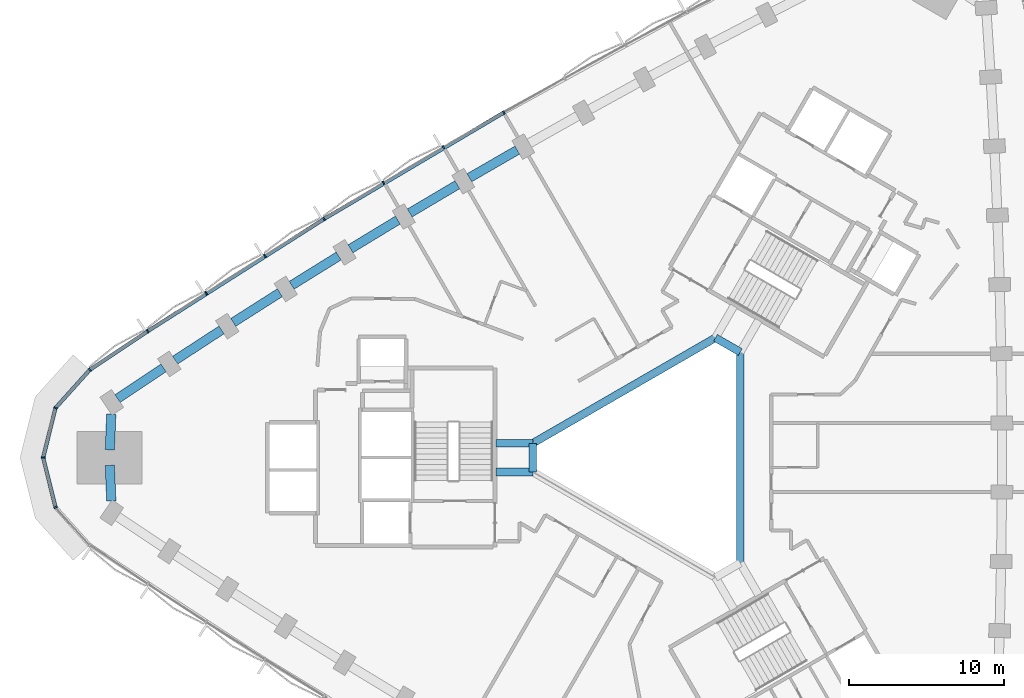
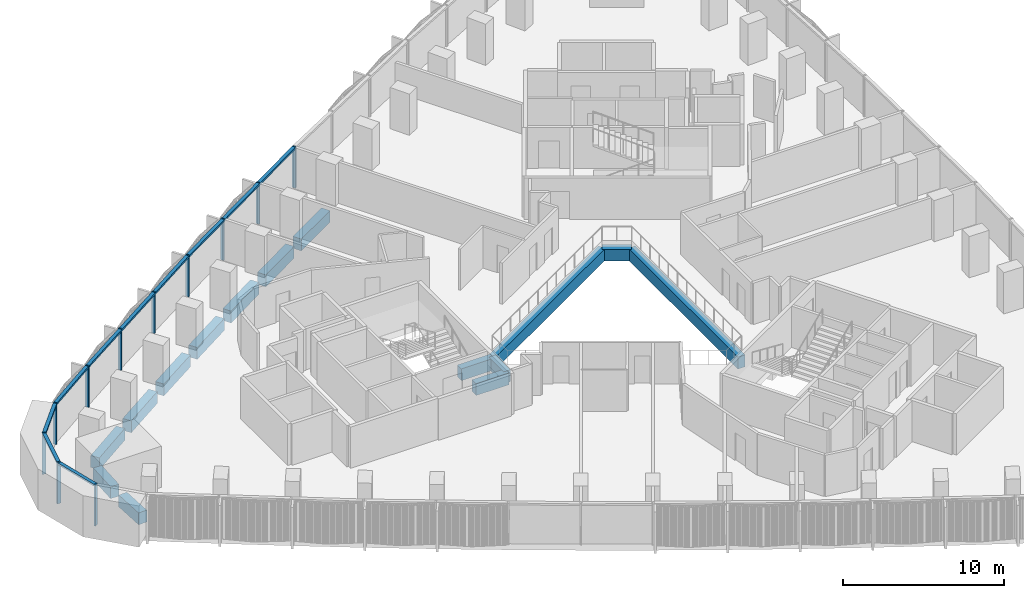
# One storey, part 4 of 15: 17 members, 15 beams, 1 element without a shape of its own.
"""IFC4 building model written with IfcOpenShell, lengths in metres."""

from ifc_helpers import new_model, si_unit, direction, frame, origin, origin_2d, place, context, subcontext, project, spatial, rectangle, extrude, material, material_profile, profile_set, type_object, element, aggregate, save


model = new_model("IFC4")

# Units and contexts
model_context = context("Model", 3, precision=1e-05, world=origin(), true_north=direction((0.0, 1.0)))
body_context = subcontext(model_context, "Body", "Model", "MODEL_VIEW")
ifc_project = project(units=[si_unit("LENGTHUNIT", "METRE"), si_unit("AREAUNIT", "SQUARE_METRE"), si_unit("VOLUMEUNIT", "CUBIC_METRE"), si_unit("PLANEANGLEUNIT", "RADIAN"), si_unit("MASSUNIT", "GRAM", prefix="KILO")], contexts=[model_context])

# Site, building, storey
site_placement = place(None, origin())
site = spatial("IfcSite", under=ifc_project, at=site_placement, CompositionType="ELEMENT")
building_placement = place(site_placement, origin())
building = spatial("IfcBuilding", under=site, at=building_placement, Name="Tamra Quay Hotel Tower", CompositionType="ELEMENT")
storey_placement = place(building_placement, frame((0.0, 0.0, 63.800048828125)))
storey = spatial("IfcBuildingStorey", under=building, at=storey_placement, Name="L14", CompositionType="ELEMENT", Elevation=63.800048828125)

# Beams
ifc_material_1 = material(Name="Concrete M60", Category="concrete")
ifc_material_profile_1 = material_profile(ifc_material_1, rectangle(XDim=0.5, YDim=0.89990234375, at=origin_2d()), Name="ATRIUM EDGE BEAM RC 500x900")
ifc_profile_set_1 = profile_set([ifc_material_profile_1], Name="Concrete M60")
beam_type_1 = type_object("IfcBeamType", Name="ATRIUM EDGE BEAM RC 500x900", PredefinedType="BEAM", material=ifc_profile_set_1)
beam_1_placement = place(storey_placement, frame((5.0, 6.812744140625, -0.925048828125), z_axis=(0.0, -1.0, 0.0), x_axis=(1.0, 0.0, 0.0)))
element("IfcBeam", 1, at=beam_1_placement, inside=storey, type_object=beam_type_1, Name="BM-AB0-L14", PredefinedType="BEAM", context=body_context, shape_type="SweptSolid", body=[
    extrude(rectangle(XDim=0.5, YDim=0.89990234375, at=origin_2d()), origin(), (0.0, 0.0, 1.0), 13.62548828125),
])
beam_2_placement = place(storey_placement, frame((-8.39990234375, -0.923828125, -0.925048828125), z_axis=(0.0, 1.0, 0.0), x_axis=(-1.0, 0.0, 0.0)))
element("IfcBeam", 2, at=beam_2_placement, inside=storey, type_object=beam_type_1, Name="BM-AB3-L14", PredefinedType="BEAM", context=body_context, shape_type="SweptSolid", body=[
    extrude(rectangle(XDim=0.5, YDim=0.89990234375, at=origin_2d()), origin(), (0.0, 0.0, 1.0), 1.84765625),
])
beam_3_placement = place(storey_placement, frame((-8.39990234375, 0.923828125, -0.925048828125), z_axis=(0.866021471679, 0.500006810544, 0.0), x_axis=(-0.500006810544, 0.866021471679, 0.0)))
element("IfcBeam", 3, at=beam_3_placement, inside=storey, type_object=beam_type_1, Name="BM-AB4-L14", PredefinedType="BEAM", context=body_context, shape_type="SweptSolid", body=[
    extrude(rectangle(XDim=0.5, YDim=0.89990234375, at=origin_2d()), origin(), (0.0, 0.0, 1.0), 13.625244140625),
])
beam_4_placement = place(storey_placement, frame((3.39990234375, 7.736572265625, -0.925048828125), z_axis=(0.86602275259, -0.500004591975, 0.0), x_axis=(0.500004591975, 0.86602275259, 0.0)))
element("IfcBeam", 4, at=beam_4_placement, inside=storey, type_object=beam_type_1, Name="BM-AB5-L14", PredefinedType="BEAM", context=body_context, shape_type="SweptSolid", body=[
    extrude(rectangle(XDim=0.5, YDim=0.89990234375, at=origin_2d()), origin(), (0.0, 0.0, 1.0), 1.84765625),
])
ifc_material_profile_2 = material_profile(ifc_material_1, rectangle(XDim=0.5, YDim=0.89990234375, at=origin_2d()), Name="ATRIUM TIE BEAM RC 500x900")
ifc_profile_set_2 = profile_set([ifc_material_profile_2], Name="Concrete M60")
beam_type_2 = type_object("IfcBeamType", Name="ATRIUM TIE BEAM RC 500x900", PredefinedType="BEAM", material=ifc_profile_set_2)
for number, where, z_axis, x_axis, name in (
    (5, (-8.39990234375, -0.923828125, -0.925048828125), (-1.0, 0.0, 0.0), (0.0, -1.0, 0.0), "BM-TIE-3-L14"),
    (6, (-8.39990234375, 0.923828125, -0.925048828125), (-1.0, 0.0, 0.0), (0.0, -1.0, 0.0), "BM-TIE-4-L14"),
):
    element("IfcBeam", number, at=place(storey_placement, frame(where, z_axis=z_axis, x_axis=x_axis)), inside=storey, type_object=beam_type_2, Name=name, PredefinedType="BEAM", context=body_context, shape_type="SweptSolid", body=[
        extrude(rectangle(XDim=0.5, YDim=0.89990234375, at=origin_2d()), origin(), (0.0, 0.0, 1.0), 2.3623046875),
    ])

# Curtain wall, members
ifc_material_2 = material(Name="Aluminium 6063 anodised dark grey", Category="aluminium")
curtain_wall_type = type_object("IfcCurtainWallType", Name="CW2 CURTAIN WALL", PredefinedType="NOTDEFINED", material=ifc_material_2)
curtain_wall_placement = place(storey_placement, origin())
curtain_wall = element("IfcCurtainWall", 7, at=curtain_wall_placement, inside=storey, type_object=curtain_wall_type, Name="CW2 north-west face L14", PredefinedType="NOTDEFINED")
ifc_material_profile_3 = material_profile(ifc_material_2, rectangle(XDim=0.239990234375, YDim=0.10009765625, at=origin_2d()), Name="MULLION 100X240")
ifc_profile_set_3 = profile_set([ifc_material_profile_3], Name="Aluminium 6063 anodised dark grey")
member_type_1 = type_object("IfcMemberType", Name="MULLION CW2 Z1", PredefinedType="MULLION", material=ifc_profile_set_3)
member_1_placement = place(storey_placement, frame((-10.267578125, 22.281494140625, 0.0), z_axis=(0.0, 0.0, 1.0), x_axis=(-0.495300542226, 0.868721688961, 0.0)))
member_1 = element("IfcMember", 8, at=member_1_placement, type_object=member_type_1, Name="CW2 mullion L14.NW.7", PredefinedType="MULLION", context=body_context, shape_type="SweptSolid", body=[
    extrude(rectangle(XDim=0.239990234375, YDim=0.10009765625, at=origin_2d()), origin(), (0.0, 0.0, 1.0), 3.125),
])
member_2_placement = place(storey_placement, frame((-14.162353515625, 20.03271484375, 0.0), z_axis=(0.0, 0.0, 1.0), x_axis=(-0.504684780346, 0.863303696556, 0.0)))
member_2 = element("IfcMember", 9, at=member_2_placement, type_object=member_type_1, Name="CW2 mullion L14.NW.8", PredefinedType="MULLION", context=body_context, shape_type="SweptSolid", body=[
    extrude(rectangle(XDim=0.239990234375, YDim=0.10009765625, at=origin_2d()), origin(), (0.0, 0.0, 1.0), 3.125),
])
member_3_placement = place(storey_placement, frame((-18.03271484375, 17.741943359375, 0.0), z_axis=(0.0, 0.0, 1.0), x_axis=(-0.514004208519, 0.857787662318, 0.0)))
member_3 = element("IfcMember", 10, at=member_3_placement, type_object=member_type_1, Name="CW2 mullion L14.NW.9", PredefinedType="MULLION", context=body_context, shape_type="SweptSolid", body=[
    extrude(rectangle(XDim=0.239990234375, YDim=0.10009765625, at=origin_2d()), origin(), (0.0, 0.0, 1.0), 3.125),
])
member_4_placement = place(storey_placement, frame((-21.879150390625, 15.40869140625, 0.0), z_axis=(0.0, 0.0, 1.0), x_axis=(-0.523257107809, 0.852174864173, 0.0)))
member_4 = element("IfcMember", 11, at=member_4_placement, type_object=member_type_1, Name="CW2 mullion L14.NW.10", PredefinedType="MULLION", context=body_context, shape_type="SweptSolid", body=[
    extrude(rectangle(XDim=0.239990234375, YDim=0.10009765625, at=origin_2d()), origin(), (0.0, 0.0, 1.0), 3.125),
])
member_5_placement = place(storey_placement, frame((-25.698974609375, 13.03466796875, 0.0), z_axis=(0.0, 0.0, 1.0), x_axis=(-0.532446769932, 0.846463488397, 0.0)))
member_5 = element("IfcMember", 12, at=member_5_placement, type_object=member_type_1, Name="CW2 mullion L14.NW.11", PredefinedType="MULLION", context=body_context, shape_type="SweptSolid", body=[
    extrude(rectangle(XDim=0.239990234375, YDim=0.10009765625, at=origin_2d()), origin(), (0.0, 0.0, 1.0), 3.125),
])
member_6_placement = place(storey_placement, frame((-29.49267578125, 10.61962890625, 0.0), z_axis=(0.0, 0.0, 1.0), x_axis=(-0.541560699791, 0.840661649204, 0.0)))
member_6 = element("IfcMember", 13, at=member_6_placement, type_object=member_type_1, Name="CW2 mullion L14.NW.12", PredefinedType="MULLION", context=body_context, shape_type="SweptSolid", body=[
    extrude(rectangle(XDim=0.239990234375, YDim=0.10009765625, at=origin_2d()), origin(), (0.0, 0.0, 1.0), 3.125),
])
member_7_placement = place(storey_placement, frame((-33.261474609375, 8.162841796875, 0.0), z_axis=(0.0, 0.0, 1.0), x_axis=(-0.550591210923, 0.834775010679, 0.0)))
member_7 = element("IfcMember", 14, at=member_7_placement, type_object=member_type_1, Name="CW2 mullion L14.NW.13", PredefinedType="MULLION", context=body_context, shape_type="SweptSolid", body=[
    extrude(rectangle(XDim=0.239990234375, YDim=0.10009765625, at=origin_2d()), origin(), (0.0, 0.0, 1.0), 3.125),
])
member_8_placement = place(storey_placement, frame((-37.001708984375, 5.6669921875, 0.0), z_axis=(0.0, 0.0, 1.0), x_axis=(-0.654196739281, 0.756324418695, 0.0)))
member_8 = element("IfcMember", 15, at=member_8_placement, type_object=member_type_1, Name="CW2 mullion L14.NW.14", PredefinedType="MULLION", context=body_context, shape_type="SweptSolid", body=[
    extrude(rectangle(XDim=0.239990234375, YDim=0.10009765625, at=origin_2d()), origin(), (0.0, 0.0, 1.0), 3.125),
])
member_9_placement = place(storey_placement, frame((-39.214599609375, 3.209228515625, 0.0), z_axis=(0.0, 0.0, 1.0), x_axis=(-0.882955345235, 0.469456982396, 0.0)))
member_9 = element("IfcMember", 16, at=member_9_placement, type_object=member_type_1, Name="CW2 mullion L14.NW.15", PredefinedType="MULLION", context=body_context, shape_type="SweptSolid", body=[
    extrude(rectangle(XDim=0.239990234375, YDim=0.10009765625, at=origin_2d()), origin(), (0.0, 0.0, 1.0), 3.125),
])
member_10_placement = place(storey_placement, frame((-40.0146484375, 0.0, 0.0), z_axis=(0.0, 0.0, 1.0), x_axis=(-1.0, 0.0, 0.0)))
member_10 = element("IfcMember", 17, at=member_10_placement, type_object=member_type_1, Name="CW2 mullion L14.NW.16", PredefinedType="MULLION", context=body_context, shape_type="SweptSolid", body=[
    extrude(rectangle(XDim=0.239990234375, YDim=0.10009765625, at=origin_2d()), origin(), (0.0, 0.0, 1.0), 3.125),
])
member_11_placement = place(storey_placement, frame((-39.214599609375, -3.209228515625, 0.0), z_axis=(0.0, 0.0, 1.0), x_axis=(-0.882955345235, -0.469456982396, 0.0)))
member_11 = element("IfcMember", 18, at=member_11_placement, type_object=member_type_1, Name="CW2 mullion L14.NW.17", PredefinedType="MULLION", context=body_context, shape_type="SweptSolid", body=[
    extrude(rectangle(XDim=0.239990234375, YDim=0.10009765625, at=origin_2d()), origin(), (0.0, 0.0, 1.0), 3.125),
])

# Beams
ifc_material_profile_4 = material_profile(ifc_material_1, rectangle(XDim=0.60009765625, YDim=0.89990234375, at=origin_2d()), Name="SPANDREL BEAM RC 600x900")
ifc_profile_set_4 = profile_set([ifc_material_profile_4], Name="Concrete M60")
beam_type_3 = type_object("IfcBeamType", Name="SPANDREL BEAM RC 600x900", PredefinedType="SPANDREL", material=ifc_profile_set_4)
beam_5_placement = place(storey_placement, frame((-9.401123046875, 19.853759765625, -0.925048828125), z_axis=(-0.866017069707, -0.500014434768, 0.0), x_axis=(0.500014434768, -0.866017069707, 0.0)))
element("IfcBeam", 19, at=beam_5_placement, inside=storey, type_object=beam_type_3, Name="BM-SP1-021-L14", PredefinedType="SPANDREL", context=body_context, shape_type="SweptSolid", body=[
    extrude(rectangle(XDim=0.60009765625, YDim=0.89990234375, at=origin_2d()), origin(), (0.0, 0.0, 1.0), 3.57080078125),
])
beam_6_placement = place(storey_placement, frame((-13.270263671875, 17.6142578125, -0.925048828125), z_axis=(-0.860524689034, -0.509408735264, 0.0), x_axis=(0.509408735264, -0.860524689034, 0.0)))
element("IfcBeam", 20, at=beam_6_placement, inside=storey, type_object=beam_type_3, Name="BM-SP1-022-L14", PredefinedType="SPANDREL", context=body_context, shape_type="SweptSolid", body=[
    extrude(rectangle(XDim=0.60009765625, YDim=0.89990234375, at=origin_2d()), origin(), (0.0, 0.0, 1.0), 3.570556640625),
])
beam_7_placement = place(storey_placement, frame((-17.114990234375, 15.3330078125, -0.925048828125), z_axis=(-0.854966252085, -0.518683629775, 0.0), x_axis=(0.518683629775, -0.854966252085, 0.0)))
element("IfcBeam", 21, at=beam_7_placement, inside=storey, type_object=beam_type_3, Name="BM-SP1-023-L14", PredefinedType="SPANDREL", context=body_context, shape_type="SweptSolid", body=[
    extrude(rectangle(XDim=0.60009765625, YDim=0.89990234375, at=origin_2d()), origin(), (0.0, 0.0, 1.0), 3.56982421875),
])
beam_8_placement = place(storey_placement, frame((-20.93408203125, 13.010498046875, -0.925048828125), z_axis=(-0.849320953317, -0.527876802158, 0.0), x_axis=(0.527876802158, -0.849320953317, 0.0)))
element("IfcBeam", 22, at=beam_8_placement, inside=storey, type_object=beam_type_3, Name="BM-SP1-024-L14", PredefinedType="SPANDREL", context=body_context, shape_type="SweptSolid", body=[
    extrude(rectangle(XDim=0.60009765625, YDim=0.89990234375, at=origin_2d()), origin(), (0.0, 0.0, 1.0), 3.570556640625),
])
beam_9_placement = place(storey_placement, frame((-24.728515625, 10.646484375, -0.925048828125), z_axis=(-0.843593906333, -0.53698167678, 0.0), x_axis=(0.53698167678, -0.843593906333, 0.0)))
element("IfcBeam", 23, at=beam_9_placement, inside=storey, type_object=beam_type_3, Name="BM-SP1-025-L14", PredefinedType="SPANDREL", context=body_context, shape_type="SweptSolid", body=[
    extrude(rectangle(XDim=0.60009765625, YDim=0.89990234375, at=origin_2d()), origin(), (0.0, 0.0, 1.0), 3.5703125),
])
beam_10_placement = place(storey_placement, frame((-28.4970703125, 8.24169921875, -0.925048828125), z_axis=(-0.837739819239, -0.546069588296, 0.0), x_axis=(0.546069588296, -0.837739819239, 0.0)))
element("IfcBeam", 24, at=beam_10_placement, inside=storey, type_object=beam_type_3, Name="BM-SP1-026-L14", PredefinedType="SPANDREL", context=body_context, shape_type="SweptSolid", body=[
    extrude(rectangle(XDim=0.60009765625, YDim=0.89990234375, at=origin_2d()), origin(), (0.0, 0.0, 1.0), 3.570068359375),
])
beam_11_placement = place(storey_placement, frame((-32.239013671875, 5.796630859375, -0.925048828125), z_axis=(-0.831818807601, -0.555047269448, 0.0), x_axis=(0.555047269448, -0.831818807601, 0.0)))
element("IfcBeam", 25, at=beam_11_placement, inside=storey, type_object=beam_type_3, Name="BM-SP1-027-L14", PredefinedType="SPANDREL", context=body_context, shape_type="SweptSolid", body=[
    extrude(rectangle(XDim=0.60009765625, YDim=0.89990234375, at=origin_2d()), origin(), (0.0, 0.0, 1.0), 3.57080078125),
])
for number, where, z_axis, x_axis, name in (
    (26, (-35.614501953125, 2.805908203125, -0.925048828125), (-0.040711272802, -0.999170952474, 0.0), (0.999170952474, -0.040711272802, 0.0), "BM-SP1-028-L14"),
    (27, (-35.70849609375, -0.4990234375, -0.925048828125), (0.040711272802, -0.999170952474, 0.0), (0.999170952474, 0.040711272802, 0.0), "BM-SP1-029-L14"),
):
    element("IfcBeam", number, at=place(storey_placement, frame(where, z_axis=z_axis, x_axis=x_axis)), inside=storey, type_object=beam_type_3, Name=name, PredefinedType="SPANDREL", context=body_context, shape_type="SweptSolid", body=[
        extrude(rectangle(XDim=0.60009765625, YDim=0.89990234375, at=origin_2d()), origin(), (0.0, 0.0, 1.0), 2.308837890625),
    ])

# Member
ifc_material_profile_5 = material_profile(ifc_material_2, rectangle(XDim=0.239990234375, YDim=0.139892578125, at=origin_2d()), Name="TRANSOM 240X140")
ifc_profile_set_5 = profile_set([ifc_material_profile_5], Name="Aluminium 6063 anodised dark grey")
member_type_2 = type_object("IfcMemberType", Name="TRANSOM CW2 Z1", PredefinedType="USERDEFINED", material=ifc_profile_set_5)
member_12_placement = place(storey_placement, frame((-10.31103515625, 22.25634765625, 3.054931640625), z_axis=(-0.860556136509, -0.509355608506, 0.0), x_axis=(0.509355608506, -0.860556136509, 0.0)))
member_12 = element("IfcMember", 28, at=member_12_placement, type_object=member_type_2, Name="CW2 transom L14.NW.7", ObjectType="TRANSOM", PredefinedType="USERDEFINED", context=body_context, shape_type="SweptSolid", body=[
    extrude(rectangle(XDim=0.239990234375, YDim=0.139892578125, at=origin_2d()), origin(), (0.0, 0.0, 1.0), 13.39306640625),
])

member_13_placement = place(storey_placement, frame((-21.921630859375, 15.38232421875, 3.054931640625), z_axis=(-0.843573654677, -0.537013490646, 0.0), x_axis=(0.537013490646, -0.843573654677, 0.0)))
member_13 = element("IfcMember", 29, at=member_13_placement, type_object=member_type_2, Name="CW2 transom L14.NW.10", ObjectType="TRANSOM", PredefinedType="USERDEFINED", context=body_context, shape_type="SweptSolid", body=[
    extrude(rectangle(XDim=0.239990234375, YDim=0.139892578125, at=origin_2d()), origin(), (0.0, 0.0, 1.0), 13.392822265625),
])

member_14_placement = place(storey_placement, frame((-33.302978515625, 8.135009765625, 3.054931640625), z_axis=(-0.831819549422, -0.555046157719, 0.0), x_axis=(0.555046157719, -0.831819549422, 0.0)))
member_14 = element("IfcMember", 30, at=member_14_placement, type_object=member_type_2, Name="CW2 transom L14.NW.13", ObjectType="TRANSOM", PredefinedType="USERDEFINED", context=body_context, shape_type="SweptSolid", body=[
    extrude(rectangle(XDim=0.239990234375, YDim=0.139892578125, at=origin_2d()), origin(), (0.0, 0.0, 1.0), 4.396484375),
])

member_15_placement = place(storey_placement, frame((-37.03515625, 5.6298828125, 3.054931640625), z_axis=(-0.669103504087, -0.743169227577, 0.0), x_axis=(0.743169227577, -0.669103504087, 0.0)))
member_15 = element("IfcMember", 31, at=member_15_placement, type_object=member_type_2, Name="CW2 transom L14.NW.14", ObjectType="TRANSOM", PredefinedType="USERDEFINED", context=body_context, shape_type="SweptSolid", body=[
    extrude(rectangle(XDim=0.239990234375, YDim=0.139892578125, at=origin_2d()), origin(), (0.0, 0.0, 1.0), 3.207275390625),
])

member_16_placement = place(storey_placement, frame((-39.226806640625, 3.16064453125, 3.054931640625), z_axis=(-0.241908705512, -0.970299014839, 0.0), x_axis=(0.970299014839, -0.241908705512, 0.0)))
member_16 = element("IfcMember", 32, at=member_16_placement, type_object=member_type_2, Name="CW2 transom L14.NW.15", ObjectType="TRANSOM", PredefinedType="USERDEFINED", context=body_context, shape_type="SweptSolid", body=[
    extrude(rectangle(XDim=0.239990234375, YDim=0.139892578125, at=origin_2d()), origin(), (0.0, 0.0, 1.0), 3.207275390625),
])

member_17_placement = place(storey_placement, frame((-40.002685546875, -0.048583984375, 3.054931640625), z_axis=(0.241908705512, -0.970299014839, 0.0), x_axis=(0.970299014839, 0.241908705512, 0.0)))
member_17 = element("IfcMember", 33, at=member_17_placement, type_object=member_type_2, Name="CW2 transom L14.NW.16", ObjectType="TRANSOM", PredefinedType="USERDEFINED", context=body_context, shape_type="SweptSolid", body=[
    extrude(rectangle(XDim=0.239990234375, YDim=0.139892578125, at=origin_2d()), origin(), (0.0, 0.0, 1.0), 3.207275390625),
])

aggregate(curtain_wall, [member_1, member_12, member_2, member_3, member_4, member_13, member_5, member_6, member_7, member_14, member_8, member_15, member_9, member_16, member_10, member_17, member_11])

save(model, "model.ifc")
